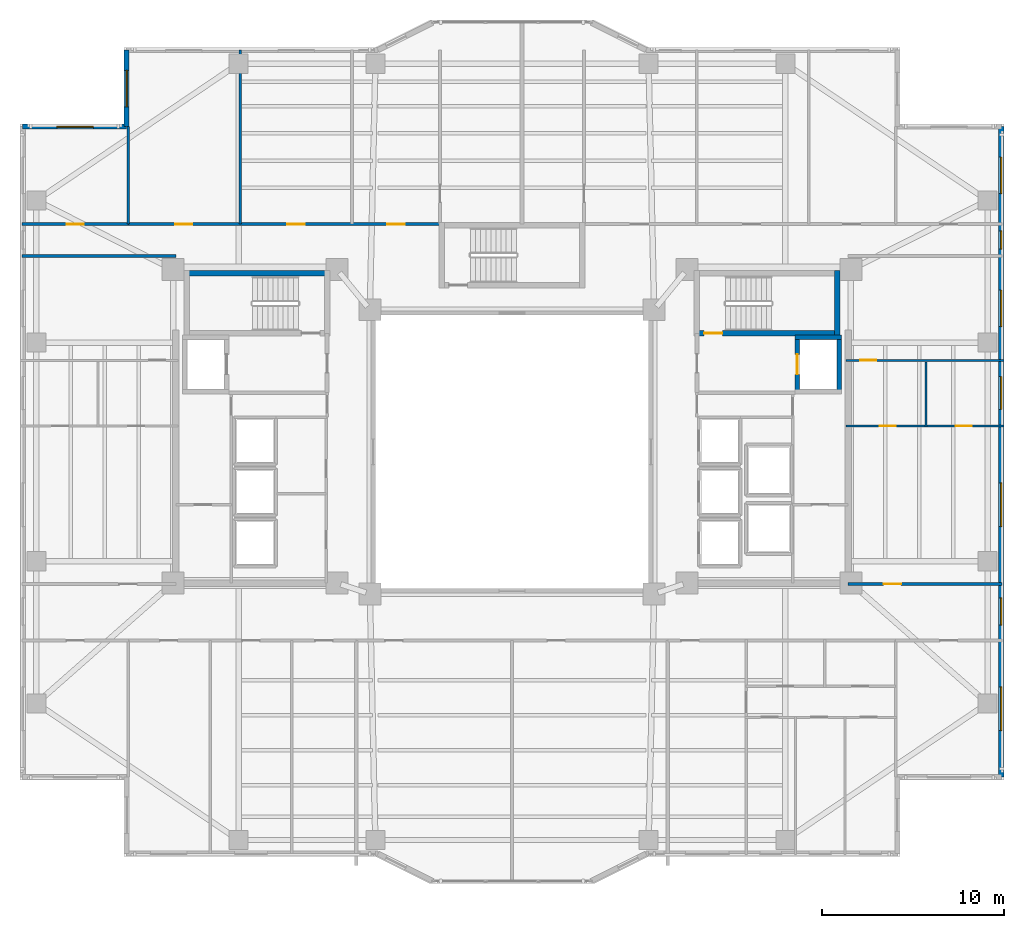
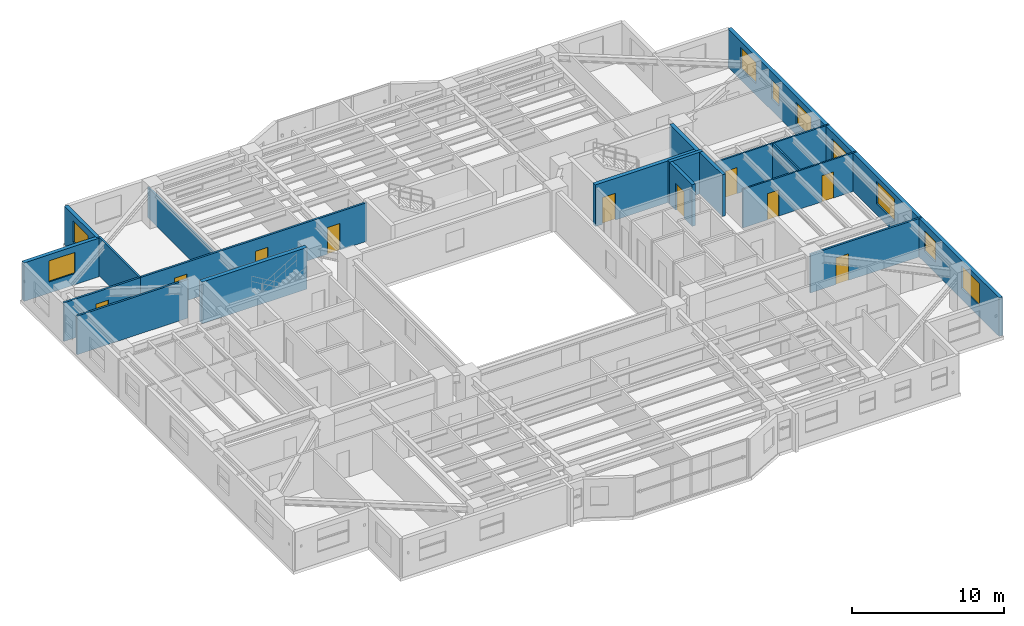
# One storey, part 9 of 18: 18 walls, 10 doors, 9 windows, 19 openings.
"""IFC4 building model written with IfcOpenShell, lengths in metres."""

from ifc_helpers import new_model, si_unit, direction, frame, frame_2d, origin, place, context, subcontext, project, spatial, rectangle, extrude, material, layer, layer_set, type_object, element, fill, save


model = new_model("IFC4")

# Units and contexts
model_context = context("Model", 3, precision=1e-05, world=origin(), true_north=direction((0.0, 1.0)))
body_context = subcontext(model_context, "Body", "Model", "MODEL_VIEW")
ifc_project = project(units=[si_unit("LENGTHUNIT", "METRE"), si_unit("AREAUNIT", "SQUARE_METRE"), si_unit("VOLUMEUNIT", "CUBIC_METRE"), si_unit("PLANEANGLEUNIT", "RADIAN"), si_unit("MASSUNIT", "GRAM", prefix="KILO")], contexts=[model_context])

# Site, building, storey
site_placement = place(None, origin())
site = spatial("IfcSite", under=ifc_project, at=site_placement, CompositionType="ELEMENT")
building_placement = place(site_placement, origin())
building = spatial("IfcBuilding", under=site, at=building_placement, Name="Tarnavaz Court Tower", CompositionType="ELEMENT")
storey_placement = place(building_placement, frame((0.0, 0.0, 105.10009765625)))
storey = spatial("IfcBuildingStorey", under=building, at=storey_placement, Name="L28", CompositionType="ELEMENT", Elevation=105.10009765625)

# Wall, opening, door
ifc_material_1 = material(Name="Concrete C60/75", Category="concrete")
ifc_layer_1 = layer(ifc_material_1, 0.25)
ifc_layer_set_1 = layer_set([ifc_layer_1], Name="Concrete C60/75")
wall_type_1 = type_object("IfcWallType", Name="WL-CORE-250-C60", PredefinedType="SHEAR", material=ifc_layer_set_1)
wall_1_placement = place(storey_placement, frame((15.64990234375, 3.175048828125, 0.0), z_axis=(0.0, 0.0, 1.0), x_axis=(0.0, 1.0, 0.0)))
wall_1 = element("IfcWall", 1, at=wall_1_placement, inside=storey, type_object=wall_type_1, Name="L28 Lift FL-E1 Shaft Wall 033", PredefinedType="SHEAR", context=body_context, shape_type="SweptSolid", body=[
    extrude(rectangle(XDim=3.25, YDim=0.25, at=frame_2d((1.625, 0.0))), origin(), (0.0, 0.0, 1.0), 3.349853515625),
])
opening_1_placement = place(wall_1_placement, frame((1.074951171875, 0.0, 0.0)))
opening_1 = element("IfcOpeningElement", 2, at=opening_1_placement, cuts=wall_1, Name="Opening LD1", PredefinedType="OPENING", context=body_context, shape_type="SweptSolid", body=[
    extrude(rectangle(XDim=1.10009765625, YDim=2.14990234375, at=frame_2d((0.550048828125, 1.074951171875))), frame((0.0, 0.135009765625, 0.0), z_axis=(0.0, -1.0, 0.0), x_axis=(1.0, 0.0, 0.0)), (0.0, 0.0, 1.0), 0.27001953125),
])
ifc_material_2 = material(Name="Stainless Steel", Category="steel")
door_type_1 = type_object("IfcDoorType", Name="DR-LD-1100", OperationType="NOTDEFINED", PredefinedType="DOOR", material=ifc_material_2)
door_1_placement = place(opening_1_placement, origin())
door_1 = element("IfcDoor", 3, at=door_1_placement, inside=storey, type_object=door_type_1, Name="L28 Lift Landing Door LD-FL-E1", OperationType="SLIDING_TO_LEFT", OverallHeight=2.14990234375, OverallWidth=1.10009765625, PredefinedType="DOOR", context=body_context, shape_type="SweptSolid", body=[
    extrude(rectangle(XDim=1.10009765625, YDim=2.14990234375, at=frame_2d((0.550048828125, 1.074951171875))), frame((0.0, 0.02490234375, 0.0), z_axis=(0.0, -1.0, 0.0), x_axis=(1.0, 0.0, 0.0)), (0.0, 0.0, 1.0), 0.050048828125),
])
fill(opening_1, door_1)

# Walls
wall_2_placement = place(storey_placement, frame((17.949951171875, 3.175048828125, 0.0), z_axis=(0.0, 0.0, 1.0), x_axis=(0.0, 1.0, 0.0)))
element("IfcWall", 4, at=wall_2_placement, inside=storey, type_object=wall_type_1, Name="L28 Lift FL-E1 Shaft Wall 034", PredefinedType="SHEAR", context=body_context, shape_type="SweptSolid", body=[
    extrude(rectangle(XDim=3.25, YDim=0.25, at=frame_2d((1.625, 0.0))), origin(), (0.0, 0.0, 1.0), 3.349853515625),
])
wall_3_placement = place(storey_placement, frame((15.52490234375, 6.300048828125, 0.0), z_axis=(0.0, 0.0, 1.0), x_axis=(1.0, 0.0, 0.0)))
element("IfcWall", 5, at=wall_3_placement, inside=storey, type_object=wall_type_1, Name="L28 Lift FL-E1 Shaft Wall 036", PredefinedType="SHEAR", context=body_context, shape_type="SweptSolid", body=[
    extrude(rectangle(XDim=2.550048828125, YDim=0.25, at=frame_2d((1.27490234375, 0.0))), origin(), (0.0, 0.0, 1.0), 3.349853515625),
])
ifc_layer_2 = layer(ifc_material_1, 0.300048828125)
ifc_layer_set_2 = layer_set([ifc_layer_2], Name="Concrete C60/75")
wall_type_2 = type_object("IfcWallType", Name="WL-CORE-300-C60", PredefinedType="SHEAR", material=ifc_layer_set_2)
wall_4_placement = place(storey_placement, frame((-18.0, 9.7900390625, 0.0), z_axis=(0.0, 0.0, 1.0), x_axis=(1.0, 0.0, 0.0)))
element("IfcWall", 6, at=wall_4_placement, inside=storey, type_object=wall_type_2, Name="L28 West Stair Core Wall 001", PredefinedType="SHEAR", context=body_context, shape_type="SweptSolid", body=[
    extrude(rectangle(XDim=8.0, YDim=0.300048828125, at=frame_2d((4.0, 0.0))), origin(), (0.0, 0.0, 1.0), 3.349853515625),
])

# Wall, opening, door
wall_5_placement = place(storey_placement, frame((10.0, 6.5, 0.0), z_axis=(0.0, 0.0, 1.0), x_axis=(1.0, 0.0, 0.0)))
wall_5 = element("IfcWall", 7, at=wall_5_placement, inside=storey, type_object=wall_type_2, Name="L28 East Stair Core Wall 006", PredefinedType="SHEAR", context=body_context, shape_type="SweptSolid", body=[
    extrude(rectangle(XDim=8.0, YDim=0.300048828125, at=frame_2d((4.0, 0.0))), origin(), (0.0, 0.0, 1.0), 3.349853515625),
])
opening_2_placement = place(wall_5_placement, frame((0.550048828125, 0.0, 0.0)))
opening_2 = element("IfcOpeningElement", 8, at=opening_2_placement, cuts=wall_5, Name="Opening D01", PredefinedType="OPENING", context=body_context, shape_type="SweptSolid", body=[
    extrude(rectangle(XDim=1.0, YDim=2.14990234375, at=frame_2d((0.5, 1.074951171875))), frame((0.0, 0.159912109375, 0.0), z_axis=(0.0, -1.0, 0.0), x_axis=(1.0, 0.0, 0.0)), (0.0, 0.0, 1.0), 0.320068359375),
])
ifc_material_3 = material(Name="Fire-Rated Hardwood Timber Core", Category="wood")
door_type_2 = type_object("IfcDoorType", Name="DR-FD90-1000", OperationType="NOTDEFINED", PredefinedType="DOOR", material=ifc_material_3)
door_2_placement = place(opening_2_placement, origin())
door_2 = element("IfcDoor", 9, at=door_2_placement, inside=storey, type_object=door_type_2, Name="L28 Stair ST-E1 Exit Door", OperationType="SINGLE_SWING_RIGHT", OverallHeight=2.14990234375, OverallWidth=1.0, PredefinedType="DOOR", context=body_context, shape_type="SweptSolid", body=[
    extrude(rectangle(XDim=1.0, YDim=2.14990234375, at=frame_2d((0.5, 1.074951171875))), frame((0.0, 0.02490234375, 0.0), z_axis=(0.0, -1.0, 0.0), x_axis=(1.0, 0.0, 0.0)), (0.0, 0.0, 1.0), 0.050048828125),
])
fill(opening_2, door_2)

# Wall
wall_6_placement = place(storey_placement, frame((17.85009765625, 6.35009765625, 0.0), z_axis=(0.0, 0.0, 1.0), x_axis=(0.0, 1.0, 0.0)))
element("IfcWall", 10, at=wall_6_placement, inside=storey, type_object=wall_type_2, Name="L28 East Stair Core Wall 008", PredefinedType="SHEAR", context=body_context, shape_type="SweptSolid", body=[
    extrude(rectangle(XDim=3.58984375, YDim=0.300048828125, at=frame_2d((1.794921875, 0.0))), origin(), (0.0, 0.0, 1.0), 3.349853515625),
])

# Wall, opening, window
ifc_material_4 = material(Name="Precast Concrete C40/50", Category="concrete")
ifc_layer_3 = layer(ifc_material_4, 0.280029296875)
ifc_layer_set_3 = layer_set([ifc_layer_3], Name="Precast Concrete C40/50")
wall_type_3 = type_object("IfcWallType", Name="WL-EXT-280", PredefinedType="SOLIDWALL", material=ifc_layer_set_3)
wall_7_placement = place(storey_placement, frame((-26.85009765625, 17.85009765625, 0.0), z_axis=(0.0, 0.0, 1.0), x_axis=(1.0, 0.0, 0.0)))
wall_7 = element("IfcWall", 11, at=wall_7_placement, inside=storey, type_object=wall_type_3, Name="L28 Exterior Terracotta Facade Wall 03", PredefinedType="SOLIDWALL", context=body_context, shape_type="SweptSolid", body=[
    extrude(rectangle(XDim=5.7001953125, YDim=0.280029296875, at=frame_2d((2.85009765625, 0.0))), origin(), (0.0, 0.0, 1.0), 3.099853515625),
])
opening_3_placement = place(wall_7_placement, frame((1.875, 0.0, 0.89990234375)))
opening_3 = element("IfcOpeningElement", 12, at=opening_3_placement, cuts=wall_7, Name="Opening W08", PredefinedType="OPENING", context=body_context, shape_type="SweptSolid", body=[
    extrude(rectangle(XDim=2.0, YDim=1.699951171875, at=frame_2d((1.0, 0.85009765625))), frame((0.0, 0.14990234375, 0.0), z_axis=(0.0, -1.0, 0.0), x_axis=(1.0, 0.0, 0.0)), (0.0, 0.0, 1.0), 0.300048828125),
])
ifc_material_5 = material(Name="Double-Glazed Solar Low-E Glass", Category="glass")
window_type_1 = type_object("IfcWindowType", Name="WN-APT-2000", PartitioningType="DOUBLE_PANEL_VERTICAL", PredefinedType="WINDOW", material=ifc_material_5)
window_1_placement = place(opening_3_placement, origin())
window_1 = element("IfcWindow", 13, at=window_1_placement, inside=storey, type_object=window_type_1, Name="L28 North-West Corner Sunroom Study Window", OverallHeight=1.699951171875, OverallWidth=2.0, PartitioningType="SINGLE_PANEL", PredefinedType="WINDOW", context=body_context, shape_type="SweptSolid", body=[
    extrude(rectangle(XDim=2.0, YDim=1.699951171875, at=frame_2d((1.0, 0.85009765625))), frame((0.0, 0.030029296875, 0.0), z_axis=(0.0, -1.0, 0.0), x_axis=(1.0, 0.0, 0.0)), (0.0, 0.0, 1.0), 0.06005859375),
])
fill(opening_3, window_1)

wall_8_placement = place(storey_placement, frame((-21.14990234375, 17.85009765625, 0.0), z_axis=(0.0, 0.0, 1.0), x_axis=(0.0, 1.0, 0.0)))
wall_8 = element("IfcWall", 14, at=wall_8_placement, inside=storey, type_object=wall_type_3, Name="L28 Exterior Terracotta Facade Wall 04", PredefinedType="SOLIDWALL", context=body_context, shape_type="SweptSolid", body=[
    extrude(rectangle(XDim=4.199951171875, YDim=0.280029296875, at=frame_2d((2.10009765625, 0.0))), origin(), (0.0, 0.0, 1.0), 3.099853515625),
])
opening_4_placement = place(wall_8_placement, frame((1.082275390625, 0.0, 0.89990234375)))
opening_4 = element("IfcOpeningElement", 15, at=opening_4_placement, cuts=wall_8, Name="Opening W08", PredefinedType="OPENING", context=body_context, shape_type="SweptSolid", body=[
    extrude(rectangle(XDim=2.0, YDim=1.699951171875, at=frame_2d((1.0, 0.85009765625))), frame((0.0, 0.14990234375, 0.0), z_axis=(0.0, -1.0, 0.0), x_axis=(1.0, 0.0, 0.0)), (0.0, 0.0, 1.0), 0.300048828125),
])
window_2_placement = place(opening_4_placement, origin())
window_2 = element("IfcWindow", 16, at=window_2_placement, inside=storey, type_object=window_type_1, Name="L28 Resident Co-Working Study Room Window", OverallHeight=1.699951171875, OverallWidth=2.0, PartitioningType="SINGLE_PANEL", PredefinedType="WINDOW", context=body_context, shape_type="SweptSolid", body=[
    extrude(rectangle(XDim=2.0, YDim=1.699951171875, at=frame_2d((1.0, 0.85009765625))), frame((0.0, 0.030029296875, 0.0), z_axis=(0.0, -1.0, 0.0), x_axis=(1.0, 0.0, 0.0)), (0.0, 0.0, 1.0), 0.06005859375),
])
fill(opening_4, window_2)

# Wall, openings, windows
wall_9_placement = place(storey_placement, frame((26.85009765625, 17.85009765625, 0.0), z_axis=(0.0, 0.0, 1.0), x_axis=(0.0, -1.0, 0.0)))
wall_9 = element("IfcWall", 17, at=wall_9_placement, inside=storey, type_object=wall_type_3, Name="L28 Exterior Terracotta Facade Wall 12", PredefinedType="SOLIDWALL", context=body_context, shape_type="SweptSolid", body=[
    extrude(rectangle(XDim=35.7001953125, YDim=0.280029296875, at=frame_2d((17.85009765625, 0.0))), origin(), (0.0, 0.0, 1.0), 3.099853515625),
])
opening_5_placement = place(wall_9_placement, frame((1.675048828125, 0.0, 0.89990234375)))
opening_5 = element("IfcOpeningElement", 18, at=opening_5_placement, cuts=wall_9, Name="Opening W08", PredefinedType="OPENING", context=body_context, shape_type="SweptSolid", body=[
    extrude(rectangle(XDim=2.0, YDim=1.699951171875, at=frame_2d((1.0, 0.85009765625))), frame((0.0, 0.14990234375, 0.0), z_axis=(0.0, -1.0, 0.0), x_axis=(1.0, 0.0, 0.0)), (0.0, 0.0, 1.0), 0.300048828125),
])
opening_6_placement = place(wall_9_placement, frame((5.72509765625, 0.0, 0.949951171875)))
opening_6 = element("IfcOpeningElement", 19, at=opening_6_placement, cuts=wall_9, Name="Opening W14", PredefinedType="OPENING", context=body_context, shape_type="SweptSolid", body=[
    extrude(rectangle(XDim=1.0, YDim=1.5, at=frame_2d((0.5, 0.75))), frame((0.0, 0.14990234375, 0.0), z_axis=(0.0, -1.0, 0.0), x_axis=(1.0, 0.0, 0.0)), (0.0, 0.0, 1.0), 0.300048828125),
])
opening_7_placement = place(wall_9_placement, frame((8.97509765625, 0.0, 0.89990234375)))
opening_7 = element("IfcOpeningElement", 20, at=opening_7_placement, cuts=wall_9, Name="Opening W08", PredefinedType="OPENING", context=body_context, shape_type="SweptSolid", body=[
    extrude(rectangle(XDim=2.0, YDim=1.699951171875, at=frame_2d((1.0, 0.85009765625))), frame((0.0, 0.14990234375, 0.0), z_axis=(0.0, -1.0, 0.0), x_axis=(1.0, 0.0, 0.0)), (0.0, 0.0, 1.0), 0.300048828125),
])
opening_8_placement = place(wall_9_placement, frame((13.72509765625, 0.0, 0.89990234375)))
opening_8 = element("IfcOpeningElement", 21, at=opening_8_placement, cuts=wall_9, Name="Opening W01", PredefinedType="OPENING", context=body_context, shape_type="SweptSolid", body=[
    extrude(rectangle(XDim=1.800048828125, YDim=1.64990234375, at=frame_2d((0.89990234375, 0.824951171875))), frame((0.0, 0.14990234375, 0.0), z_axis=(0.0, -1.0, 0.0), x_axis=(1.0, 0.0, 0.0)), (0.0, 0.0, 1.0), 0.300048828125),
])
opening_9_placement = place(wall_9_placement, frame((19.550048828125, 0.0, 0.89990234375)))
opening_9 = element("IfcOpeningElement", 22, at=opening_9_placement, cuts=wall_9, Name="Opening W06", PredefinedType="OPENING", context=body_context, shape_type="SweptSolid", body=[
    extrude(rectangle(XDim=2.39990234375, YDim=1.800048828125, at=frame_2d((1.199951171875, 0.89990234375))), frame((0.0, 0.14990234375, 0.0), z_axis=(0.0, -1.0, 0.0), x_axis=(1.0, 0.0, 0.0)), (0.0, 0.0, 1.0), 0.300048828125),
])
opening_10_placement = place(wall_9_placement, frame((25.857421875, 0.0, 0.89990234375)))
opening_10 = element("IfcOpeningElement", 23, at=opening_10_placement, cuts=wall_9, Name="Opening W03", PredefinedType="OPENING", context=body_context, shape_type="SweptSolid", body=[
    extrude(rectangle(XDim=1.5, YDim=1.64990234375, at=frame_2d((0.75, 0.824951171875))), frame((0.0, 0.14990234375, 0.0), z_axis=(0.0, -1.0, 0.0), x_axis=(1.0, 0.0, 0.0)), (0.0, 0.0, 1.0), 0.300048828125),
])
opening_11_placement = place(wall_9_placement, frame((30.75, 0.0, 0.89990234375)))
opening_11 = element("IfcOpeningElement", 24, at=opening_11_placement, cuts=wall_9, Name="Opening W06", PredefinedType="OPENING", context=body_context, shape_type="SweptSolid", body=[
    extrude(rectangle(XDim=2.39990234375, YDim=1.800048828125, at=frame_2d((1.199951171875, 0.89990234375))), frame((0.0, 0.14990234375, 0.0), z_axis=(0.0, -1.0, 0.0), x_axis=(1.0, 0.0, 0.0)), (0.0, 0.0, 1.0), 0.300048828125),
])
window_type_2 = type_object("IfcWindowType", Name="WN-APT-1000", PartitioningType="SINGLE_PANEL", PredefinedType="WINDOW", material=ifc_material_5)
window_3_placement = place(opening_6_placement, origin())
window_3 = element("IfcWindow", 25, at=window_3_placement, inside=storey, type_object=window_type_2, Name="L28 North-East Corner Corridor Window", OverallHeight=1.5, OverallWidth=1.0, PartitioningType="SINGLE_PANEL", PredefinedType="WINDOW", context=body_context, shape_type="SweptSolid", body=[
    extrude(rectangle(XDim=1.0, YDim=1.5, at=frame_2d((0.5, 0.75))), frame((0.0, 0.030029296875, 0.0), z_axis=(0.0, -1.0, 0.0), x_axis=(1.0, 0.0, 0.0)), (0.0, 0.0, 1.0), 0.06005859375),
])
fill(opening_6, window_3)
window_type_3 = type_object("IfcWindowType", Name="WN-APT-1500", PartitioningType="DOUBLE_PANEL_VERTICAL", PredefinedType="WINDOW", material=ifc_material_5)
window_4_placement = place(opening_10_placement, origin())
window_4 = element("IfcWindow", 26, at=window_4_placement, inside=storey, type_object=window_type_3, Name="L28 South-East Corner Corridor Window", OverallHeight=1.64990234375, OverallWidth=1.5, PartitioningType="SINGLE_PANEL", PredefinedType="WINDOW", context=body_context, shape_type="SweptSolid", body=[
    extrude(rectangle(XDim=1.5, YDim=1.64990234375, at=frame_2d((0.75, 0.824951171875))), frame((0.0, 0.030029296875, 0.0), z_axis=(0.0, -1.0, 0.0), x_axis=(1.0, 0.0, 0.0)), (0.0, 0.0, 1.0), 0.06005859375),
])
fill(opening_10, window_4)
window_type_4 = type_object("IfcWindowType", Name="WN-APT-1800", PartitioningType="DOUBLE_PANEL_VERTICAL", PredefinedType="WINDOW", material=ifc_material_5)
window_5_placement = place(opening_8_placement, origin())
window_5 = element("IfcWindow", 27, at=window_5_placement, inside=storey, type_object=window_type_4, Name="L28 Flat 03 Bathroom Window", OverallHeight=1.64990234375, OverallWidth=1.800048828125, PartitioningType="SINGLE_PANEL", PredefinedType="WINDOW", context=body_context, shape_type="SweptSolid", body=[
    extrude(rectangle(XDim=1.800048828125, YDim=1.64990234375, at=frame_2d((0.89990234375, 0.824951171875))), frame((0.0, 0.030029296875, 0.0), z_axis=(0.0, -1.0, 0.0), x_axis=(1.0, 0.0, 0.0)), (0.0, 0.0, 1.0), 0.06005859375),
])
fill(opening_8, window_5)
window_6_placement = place(opening_5_placement, origin())
window_6 = element("IfcWindow", 28, at=window_6_placement, inside=storey, type_object=window_type_1, Name="L28 North-East Corner Sunroom Study Window", OverallHeight=1.699951171875, OverallWidth=2.0, PartitioningType="SINGLE_PANEL", PredefinedType="WINDOW", context=body_context, shape_type="SweptSolid", body=[
    extrude(rectangle(XDim=2.0, YDim=1.699951171875, at=frame_2d((1.0, 0.85009765625))), frame((0.0, 0.030029296875, 0.0), z_axis=(0.0, -1.0, 0.0), x_axis=(1.0, 0.0, 0.0)), (0.0, 0.0, 1.0), 0.06005859375),
])
fill(opening_5, window_6)
window_7_placement = place(opening_7_placement, origin())
window_7 = element("IfcWindow", 29, at=window_7_placement, inside=storey, type_object=window_type_1, Name="L28 Flat 03 Study Room Window", OverallHeight=1.699951171875, OverallWidth=2.0, PartitioningType="SINGLE_PANEL", PredefinedType="WINDOW", context=body_context, shape_type="SweptSolid", body=[
    extrude(rectangle(XDim=2.0, YDim=1.699951171875, at=frame_2d((1.0, 0.85009765625))), frame((0.0, 0.030029296875, 0.0), z_axis=(0.0, -1.0, 0.0), x_axis=(1.0, 0.0, 0.0)), (0.0, 0.0, 1.0), 0.06005859375),
])
fill(opening_7, window_7)
window_type_5 = type_object("IfcWindowType", Name="WN-APT-2400", PartitioningType="TRIPLE_PANEL_VERTICAL", PredefinedType="WINDOW", material=ifc_material_5)
window_8_placement = place(opening_9_placement, origin())
window_8 = element("IfcWindow", 30, at=window_8_placement, inside=storey, type_object=window_type_5, Name="L28 Flat 03 Studio Living and Sleeping Room Window", OverallHeight=1.800048828125, OverallWidth=2.39990234375, PartitioningType="SINGLE_PANEL", PredefinedType="WINDOW", context=body_context, shape_type="SweptSolid", body=[
    extrude(rectangle(XDim=2.39990234375, YDim=1.800048828125, at=frame_2d((1.199951171875, 0.89990234375))), frame((0.0, 0.030029296875, 0.0), z_axis=(0.0, -1.0, 0.0), x_axis=(1.0, 0.0, 0.0)), (0.0, 0.0, 1.0), 0.06005859375),
])
fill(opening_9, window_8)
window_9_placement = place(opening_11_placement, origin())
window_9 = element("IfcWindow", 31, at=window_9_placement, inside=storey, type_object=window_type_5, Name="L28 South-East Corner Reading Room Window", OverallHeight=1.800048828125, OverallWidth=2.39990234375, PartitioningType="SINGLE_PANEL", PredefinedType="WINDOW", context=body_context, shape_type="SweptSolid", body=[
    extrude(rectangle(XDim=2.39990234375, YDim=1.800048828125, at=frame_2d((1.199951171875, 0.89990234375))), frame((0.0, 0.030029296875, 0.0), z_axis=(0.0, -1.0, 0.0), x_axis=(1.0, 0.0, 0.0)), (0.0, 0.0, 1.0), 0.06005859375),
])
fill(opening_11, window_9)

# Wall, openings, doors
ifc_material_6 = material(Name="Gypsum Fire-Board on Acoustic Metal Stud", Category="masonry")
ifc_layer_4 = layer(ifc_material_6, 0.14990234375)
ifc_layer_set_4 = layer_set([ifc_layer_4], Name="Gypsum Fire-Board on Acoustic Metal Stud")
wall_type_4 = type_object("IfcWallType", Name="WL-FIRE-150", PredefinedType="PARTITIONING", material=ifc_layer_set_4)
wall_10_placement = place(storey_placement, frame((-21.050048828125, 12.5, 0.0), z_axis=(0.0, 0.0, 1.0), x_axis=(1.0, 0.0, 0.0)))
wall_10 = element("IfcWall", 32, at=wall_10_placement, inside=storey, type_object=wall_type_4, Name="L28 NW Wing Corridor Wall 071", PredefinedType="PARTITIONING", context=body_context, shape_type="SweptSolid", body=[
    extrude(rectangle(XDim=17.199951171875, YDim=0.14990234375, at=frame_2d((8.60009765625, 0.0))), origin(), (0.0, 0.0, 1.0), 3.099853515625),
])
opening_12_placement = place(wall_10_placement, frame((2.56201171875, 0.0, 0.0)))
opening_12 = element("IfcOpeningElement", 33, at=opening_12_placement, cuts=wall_10, Name="Opening D13", PredefinedType="OPENING", context=body_context, shape_type="SweptSolid", body=[
    extrude(rectangle(XDim=0.949951171875, YDim=2.14990234375, at=frame_2d((0.47509765625, 1.074951171875))), frame((0.0, 0.0849609375, 0.0), z_axis=(0.0, -1.0, 0.0), x_axis=(1.0, 0.0, 0.0)), (0.0, 0.0, 1.0), 0.169921875),
])
opening_13_placement = place(wall_10_placement, frame((8.72607421875, 0.0, 0.0)))
opening_13 = element("IfcOpeningElement", 34, at=opening_13_placement, cuts=wall_10, Name="Opening D13", PredefinedType="OPENING", context=body_context, shape_type="SweptSolid", body=[
    extrude(rectangle(XDim=0.949951171875, YDim=2.14990234375, at=frame_2d((0.47509765625, 1.074951171875))), frame((0.0, 0.0849609375, 0.0), z_axis=(0.0, -1.0, 0.0), x_axis=(1.0, 0.0, 0.0)), (0.0, 0.0, 1.0), 0.169921875),
])
opening_14_placement = place(wall_10_placement, frame((14.2099609375, 0.0, 0.0)))
opening_14 = element("IfcOpeningElement", 35, at=opening_14_placement, cuts=wall_10, Name="Opening D13", PredefinedType="OPENING", context=body_context, shape_type="SweptSolid", body=[
    extrude(rectangle(XDim=0.949951171875, YDim=2.14990234375, at=frame_2d((0.47509765625, 1.074951171875))), frame((0.0, 0.0849609375, 0.0), z_axis=(0.0, -1.0, 0.0), x_axis=(1.0, 0.0, 0.0)), (0.0, 0.0, 1.0), 0.169921875),
])
ifc_material_7 = material(Name="Engineered Oak Timber", Category="wood")
door_type_3 = type_object("IfcDoorType", Name="DR-INT-950", OperationType="NOTDEFINED", PredefinedType="DOOR", material=ifc_material_7)
door_3_placement = place(opening_12_placement, origin())
door_3 = element("IfcDoor", 36, at=door_3_placement, inside=storey, type_object=door_type_3, Name="L28 Resident Co-Working Study Room Door", OperationType="SINGLE_SWING_LEFT", OverallHeight=2.14990234375, OverallWidth=0.949951171875, PredefinedType="DOOR", context=body_context, shape_type="SweptSolid", body=[
    extrude(rectangle(XDim=0.949951171875, YDim=2.14990234375, at=frame_2d((0.47509765625, 1.074951171875))), frame((0.0, 0.02490234375, 0.0), z_axis=(0.0, -1.0, 0.0), x_axis=(1.0, 0.0, 0.0)), (0.0, 0.0, 1.0), 0.050048828125),
])
fill(opening_12, door_3)
door_4_placement = place(opening_13_placement, origin())
door_4 = element("IfcDoor", 37, at=door_4_placement, inside=storey, type_object=door_type_3, Name="L28 Quiet Reading Library Room Door", OperationType="SINGLE_SWING_RIGHT", OverallHeight=2.14990234375, OverallWidth=0.949951171875, PredefinedType="DOOR", context=body_context, shape_type="SweptSolid", body=[
    extrude(rectangle(XDim=0.949951171875, YDim=2.14990234375, at=frame_2d((0.47509765625, 1.074951171875))), frame((0.0, 0.02490234375, 0.0), z_axis=(0.0, -1.0, 0.0), x_axis=(1.0, 0.0, 0.0)), (0.0, 0.0, 1.0), 0.050048828125),
])
fill(opening_13, door_4)
door_5_placement = place(opening_14_placement, origin())
door_5 = element("IfcDoor", 38, at=door_5_placement, inside=storey, type_object=door_type_3, Name="L28 Resident Focus Seminar Room Door", OperationType="SINGLE_SWING_LEFT", OverallHeight=2.14990234375, OverallWidth=0.949951171875, PredefinedType="DOOR", context=body_context, shape_type="SweptSolid", body=[
    extrude(rectangle(XDim=0.949951171875, YDim=2.14990234375, at=frame_2d((0.47509765625, 1.074951171875))), frame((0.0, 0.02490234375, 0.0), z_axis=(0.0, -1.0, 0.0), x_axis=(1.0, 0.0, 0.0)), (0.0, 0.0, 1.0), 0.050048828125),
])
fill(opening_14, door_5)

# Wall
wall_11_placement = place(storey_placement, frame((-26.8798828125, 10.75, 0.0), z_axis=(0.0, 0.0, 1.0), x_axis=(1.0, 0.0, 0.0)))
element("IfcWall", 39, at=wall_11_placement, inside=storey, type_object=wall_type_4, Name="L28 Interior Partition 096", PredefinedType="PARTITIONING", context=body_context, shape_type="SweptSolid", body=[
    extrude(rectangle(XDim=8.429931640625, YDim=0.14990234375, at=frame_2d((4.21484375, 0.0))), origin(), (0.0, 0.0, 1.0), 3.099853515625),
])

# Wall, opening, door
wall_12_placement = place(storey_placement, frame((18.449951171875, -7.25, 0.0), z_axis=(0.0, 0.0, 1.0), x_axis=(1.0, 0.0, 0.0)))
wall_12 = element("IfcWall", 40, at=wall_12_placement, inside=storey, type_object=wall_type_4, Name="L28 Interior Partition 097", PredefinedType="PARTITIONING", context=body_context, shape_type="SweptSolid", body=[
    extrude(rectangle(XDim=8.429931640625, YDim=0.14990234375, at=frame_2d((4.21484375, 0.0))), origin(), (0.0, 0.0, 1.0), 3.099853515625),
])
opening_15_placement = place(wall_12_placement, frame((1.949951171875, 0.0, 0.0)))
opening_15 = element("IfcOpeningElement", 41, at=opening_15_placement, cuts=wall_12, Name="Opening D06", PredefinedType="OPENING", context=body_context, shape_type="SweptSolid", body=[
    extrude(rectangle(XDim=0.9599609375, YDim=2.14990234375, at=frame_2d((0.47998046875, 1.074951171875))), frame((0.0, 0.0849609375, 0.0), z_axis=(0.0, -1.0, 0.0), x_axis=(1.0, 0.0, 0.0)), (0.0, 0.0, 1.0), 0.169921875),
])
door_type_4 = type_object("IfcDoorType", Name="DR-FD60-950", OperationType="NOTDEFINED", PredefinedType="DOOR", material=ifc_material_3)
door_6_placement = place(opening_15_placement, origin())
door_6 = element("IfcDoor", 42, at=door_6_placement, inside=storey, type_object=door_type_4, Name="L28 Flat 03 Entrance Door", OperationType="SINGLE_SWING_LEFT", OverallHeight=2.14990234375, OverallWidth=0.9599609375, PredefinedType="DOOR", context=body_context, shape_type="SweptSolid", body=[
    extrude(rectangle(XDim=0.9599609375, YDim=2.14990234375, at=frame_2d((0.47998046875, 1.074951171875))), frame((0.0, 0.02490234375, 0.0), z_axis=(0.0, -1.0, 0.0), x_axis=(1.0, 0.0, 0.0)), (0.0, 0.0, 1.0), 0.050048828125),
])
fill(opening_15, door_6)

wall_13_placement = place(storey_placement, frame((-26.8798828125, 12.5, 0.0), z_axis=(0.0, 0.0, 1.0), x_axis=(1.0, 0.0, 0.0)))
wall_13 = element("IfcWall", 43, at=wall_13_placement, inside=storey, type_object=wall_type_4, Name="L28 Interior Partition 103", PredefinedType="PARTITIONING", context=body_context, shape_type="SweptSolid", body=[
    extrude(rectangle(XDim=5.829833984375, YDim=0.14990234375, at=frame_2d((2.9150390625, 0.0))), origin(), (0.0, 0.0, 1.0), 3.099853515625),
])
opening_16_placement = place(wall_13_placement, frame((2.43994140625, 0.0, 0.0)))
opening_16 = element("IfcOpeningElement", 44, at=opening_16_placement, cuts=wall_13, Name="Opening D13", PredefinedType="OPENING", context=body_context, shape_type="SweptSolid", body=[
    extrude(rectangle(XDim=0.949951171875, YDim=2.14990234375, at=frame_2d((0.47509765625, 1.074951171875))), frame((0.0, 0.0849609375, 0.0), z_axis=(0.0, -1.0, 0.0), x_axis=(1.0, 0.0, 0.0)), (0.0, 0.0, 1.0), 0.169921875),
])
door_7_placement = place(opening_16_placement, origin())
door_7 = element("IfcDoor", 45, at=door_7_placement, inside=storey, type_object=door_type_3, Name="L28 NW Sunroom Door", OperationType="SINGLE_SWING_LEFT", OverallHeight=2.14990234375, OverallWidth=0.949951171875, PredefinedType="DOOR", context=body_context, shape_type="SweptSolid", body=[
    extrude(rectangle(XDim=0.949951171875, YDim=2.14990234375, at=frame_2d((0.47509765625, 1.074951171875))), frame((0.0, 0.02490234375, 0.0), z_axis=(0.0, -1.0, 0.0), x_axis=(1.0, 0.0, 0.0)), (0.0, 0.0, 1.0), 0.050048828125),
])
fill(opening_16, door_7)

# Wall, openings, doors
ifc_material_8 = material(Name="Moisture-Resistant Gypsum Board Partition", Category="masonry")
ifc_layer_5 = layer(ifc_material_8, 0.1201171875)
ifc_layer_set_5 = layer_set([ifc_layer_5], Name="Moisture-Resistant Gypsum Board Partition")
wall_type_5 = type_object("IfcWallType", Name="WL-PART-120", PredefinedType="PARTITIONING", material=ifc_layer_set_5)
wall_14_placement = place(storey_placement, frame((18.330078125, 1.419921875, 0.0), z_axis=(0.0, 0.0, 1.0), x_axis=(1.0, 0.0, 0.0)))
wall_14 = element("IfcWall", 46, at=wall_14_placement, inside=storey, type_object=wall_type_5, Name="L28 Interior Partition 110", PredefinedType="PARTITIONING", context=body_context, shape_type="SweptSolid", body=[
    extrude(rectangle(XDim=8.669921875, YDim=0.1201171875, at=frame_2d((4.3349609375, 0.0))), origin(), (0.0, 0.0, 1.0), 3.099853515625),
])
opening_17_placement = place(wall_14_placement, frame((1.863037109375, 0.0, 0.0)))
opening_17 = element("IfcOpeningElement", 47, at=opening_17_placement, cuts=wall_14, Name="Opening D14", PredefinedType="OPENING", context=body_context, shape_type="SweptSolid", body=[
    extrude(rectangle(XDim=0.8798828125, YDim=2.10009765625, at=frame_2d((0.43994140625, 1.050048828125))), frame((0.0, 0.070068359375, 0.0), z_axis=(0.0, -1.0, 0.0), x_axis=(1.0, 0.0, 0.0)), (0.0, 0.0, 1.0), 0.14013671875),
])
opening_18_placement = place(wall_14_placement, frame((6.028076171875, 0.0, 0.0)))
opening_18 = element("IfcOpeningElement", 48, at=opening_18_placement, cuts=wall_14, Name="Opening D14", PredefinedType="OPENING", context=body_context, shape_type="SweptSolid", body=[
    extrude(rectangle(XDim=0.8798828125, YDim=2.10009765625, at=frame_2d((0.43994140625, 1.050048828125))), frame((0.0, 0.070068359375, 0.0), z_axis=(0.0, -1.0, 0.0), x_axis=(1.0, 0.0, 0.0)), (0.0, 0.0, 1.0), 0.14013671875),
])
door_type_5 = type_object("IfcDoorType", Name="DR-INT-900", OperationType="NOTDEFINED", PredefinedType="DOOR", material=ifc_material_7)
door_8_placement = place(opening_17_placement, origin())
door_8 = element("IfcDoor", 49, at=door_8_placement, inside=storey, type_object=door_type_5, Name="L28 Flat 03 Kitchen Door", OperationType="SINGLE_SWING_RIGHT", OverallHeight=2.10009765625, OverallWidth=0.8798828125, PredefinedType="DOOR", context=body_context, shape_type="SweptSolid", body=[
    extrude(rectangle(XDim=0.8798828125, YDim=2.10009765625, at=frame_2d((0.43994140625, 1.050048828125))), frame((0.0, 0.02490234375, 0.0), z_axis=(0.0, -1.0, 0.0), x_axis=(1.0, 0.0, 0.0)), (0.0, 0.0, 1.0), 0.050048828125),
])
fill(opening_17, door_8)
door_9_placement = place(opening_18_placement, origin())
door_9 = element("IfcDoor", 50, at=door_9_placement, inside=storey, type_object=door_type_5, Name="L28 Flat 03 Bathroom Door", OperationType="SINGLE_SWING_LEFT", OverallHeight=2.10009765625, OverallWidth=0.8798828125, PredefinedType="DOOR", context=body_context, shape_type="SweptSolid", body=[
    extrude(rectangle(XDim=0.8798828125, YDim=2.10009765625, at=frame_2d((0.43994140625, 1.050048828125))), frame((0.0, 0.02490234375, 0.0), z_axis=(0.0, -1.0, 0.0), x_axis=(1.0, 0.0, 0.0)), (0.0, 0.0, 1.0), 0.050048828125),
])
fill(opening_18, door_9)

# Wall, opening, door
wall_15_placement = place(storey_placement, frame((18.330078125, 5.02001953125, 0.0), z_axis=(0.0, 0.0, 1.0), x_axis=(1.0, 0.0, 0.0)))
wall_15 = element("IfcWall", 51, at=wall_15_placement, inside=storey, type_object=wall_type_5, Name="L28 Interior Partition 111", PredefinedType="PARTITIONING", context=body_context, shape_type="SweptSolid", body=[
    extrude(rectangle(XDim=8.669921875, YDim=0.1201171875, at=frame_2d((4.3349609375, 0.0))), origin(), (0.0, 0.0, 1.0), 3.099853515625),
])
opening_19_placement = place(wall_15_placement, frame((0.77001953125, 0.0, 0.0)))
opening_19 = element("IfcOpeningElement", 52, at=opening_19_placement, cuts=wall_15, Name="Opening D14", PredefinedType="OPENING", context=body_context, shape_type="SweptSolid", body=[
    extrude(rectangle(XDim=0.8798828125, YDim=2.10009765625, at=frame_2d((0.43994140625, 1.050048828125))), frame((0.0, 0.070068359375, 0.0), z_axis=(0.0, -1.0, 0.0), x_axis=(1.0, 0.0, 0.0)), (0.0, 0.0, 1.0), 0.14013671875),
])
door_10_placement = place(opening_19_placement, origin())
door_10 = element("IfcDoor", 53, at=door_10_placement, inside=storey, type_object=door_type_5, Name="L28 Flat 03 Study Door", OperationType="SINGLE_SWING_RIGHT", OverallHeight=2.10009765625, OverallWidth=0.8798828125, PredefinedType="DOOR", context=body_context, shape_type="SweptSolid", body=[
    extrude(rectangle(XDim=0.8798828125, YDim=2.10009765625, at=frame_2d((0.43994140625, 1.050048828125))), frame((0.0, 0.02490234375, 0.0), z_axis=(0.0, -1.0, 0.0), x_axis=(1.0, 0.0, 0.0)), (0.0, 0.0, 1.0), 0.050048828125),
])
fill(opening_19, door_10)

# Walls
wall_16_placement = place(storey_placement, frame((22.715087890625, 1.360107421875, 0.0), z_axis=(0.0, 0.0, 1.0), x_axis=(0.0, 1.0, 0.0)))
element("IfcWall", 54, at=wall_16_placement, inside=storey, type_object=wall_type_5, Name="L28 Interior Partition 112", PredefinedType="PARTITIONING", context=body_context, shape_type="SweptSolid", body=[
    extrude(rectangle(XDim=3.579833984375, YDim=0.1201171875, at=frame_2d((1.7900390625, 0.0))), origin(), (0.0, 0.0, 1.0), 3.099853515625),
])
ifc_material_9 = material(Name="Gypsum Plasterboard Acoustic Partition", Category="masonry")
ifc_layer_6 = layer(ifc_material_9, 0.139892578125)
ifc_layer_set_6 = layer_set([ifc_layer_6], Name="Gypsum Plasterboard Acoustic Partition")
wall_type_6 = type_object("IfcWallType", Name="WL-PART-150", PredefinedType="PARTITIONING", material=ifc_layer_set_6)
wall_17_placement = place(storey_placement, frame((-14.916015625, 12.5, 0.0), z_axis=(0.0, 0.0, 1.0), x_axis=(0.0, 1.0, 0.0)))
element("IfcWall", 55, at=wall_17_placement, inside=storey, type_object=wall_type_6, Name="L28 Interior Partition 077", PredefinedType="PARTITIONING", context=body_context, shape_type="SweptSolid", body=[
    extrude(rectangle(XDim=9.550048828125, YDim=0.139892578125, at=frame_2d((4.77490234375, 0.0))), origin(), (0.0, 0.0, 1.0), 2.434814453125),
])
wall_18_placement = place(storey_placement, frame((-21.050048828125, 12.5, 0.0), z_axis=(0.0, 0.0, 1.0), x_axis=(0.0, 1.0, 0.0)))
element("IfcWall", 56, at=wall_18_placement, inside=storey, type_object=wall_type_6, Name="L28 Interior Partition 101", PredefinedType="PARTITIONING", context=body_context, shape_type="SweptSolid", body=[
    extrude(rectangle(XDim=5.35009765625, YDim=0.139892578125, at=frame_2d((2.675048828125, 0.0))), origin(), (0.0, 0.0, 1.0), 3.099853515625),
])

save(model, "model.ifc")
